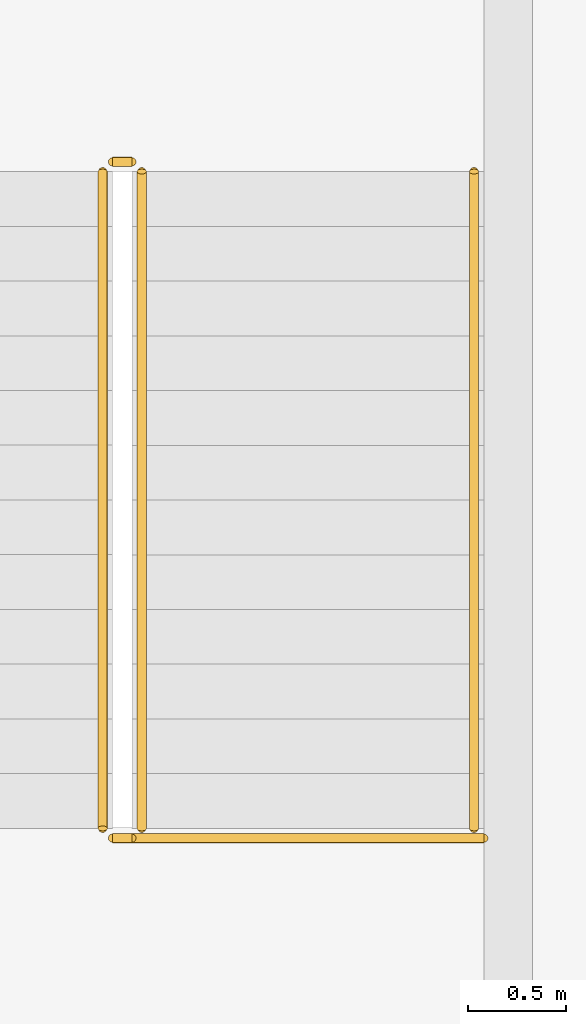
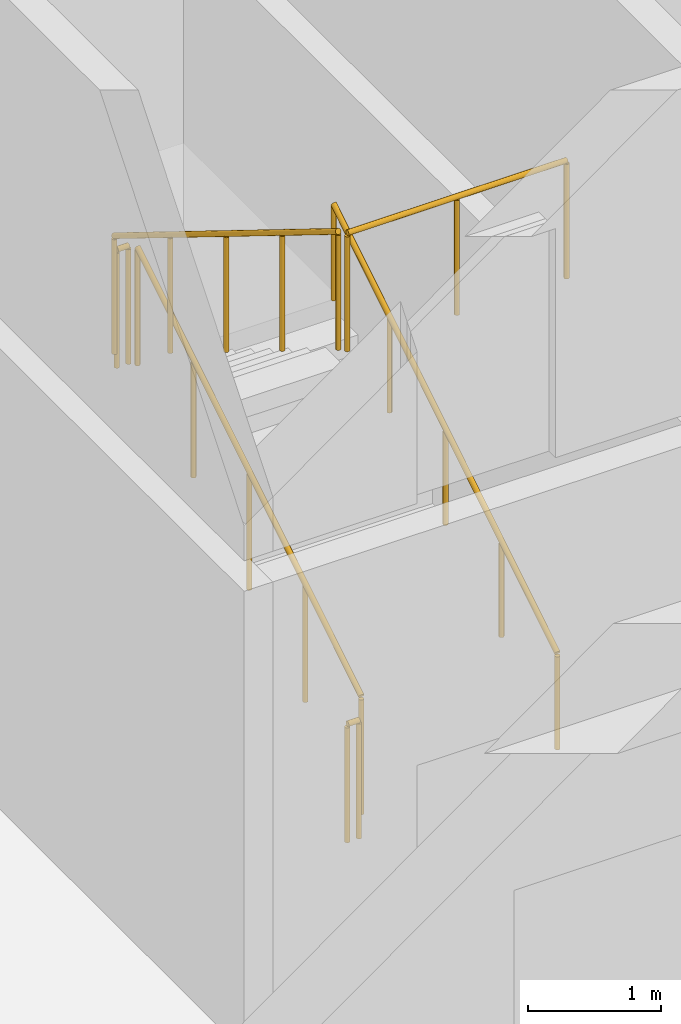
# One storey, part 31 of 35: 6 railings.
"""IFC4 building model written with IfcOpenShell, lengths in metres."""

from ifc_helpers import new_model, si_unit, direction, frame, origin, origin_2d, place, context, subcontext, project, spatial, circle, extrude, material, type_object, element, save


model = new_model("IFC4")

# Units and contexts
model_context = context("Model", 3, precision=1e-05, world=origin(), true_north=direction((0.0, 1.0)))
body_context = subcontext(model_context, "Body", "Model", "MODEL_VIEW")
ifc_project = project(units=[si_unit("LENGTHUNIT", "METRE"), si_unit("AREAUNIT", "SQUARE_METRE"), si_unit("VOLUMEUNIT", "CUBIC_METRE"), si_unit("PLANEANGLEUNIT", "RADIAN"), si_unit("MASSUNIT", "GRAM", prefix="KILO")], contexts=[model_context])

# Site, building, storey
site_placement = place(None, origin())
site = spatial("IfcSite", under=ifc_project, at=site_placement, CompositionType="ELEMENT")
building_placement = place(site_placement, origin())
building = spatial("IfcBuilding", under=site, at=building_placement, Name="Kilnfold Tower and Market Hall", CompositionType="ELEMENT")
storey_placement = place(building_placement, frame((0.0, 0.0, 22.5)))
storey = spatial("IfcBuildingStorey", under=building, at=storey_placement, Name="L04", CompositionType="ELEMENT", Elevation=22.5)

# Railings
ifc_material_1 = material(Name="Steel S355", Category="steel")
railing_type_1 = type_object("IfcRailingType", Name="HALL STAIR GUARD 1100", PredefinedType="GUARDRAIL", material=ifc_material_1)
railing_1_placement = place(storey_placement, frame((-48.550048828125, 46.699951171875, 0.173095703125)))
element("IfcRailing", 1, at=railing_1_placement, inside=storey, type_object=railing_type_1, Name="L04 MS3 stair guard 1", PredefinedType="GUARDRAIL", context=body_context, shape_type="SweptSolid", body=[
    extrude(circle(Radius=0.02392578125, at=origin_2d()), frame((0.0, 0.0, 1.076171875), z_axis=(0.0, 0.850623216509, 0.525775754039), x_axis=(-1.0, 0.0, 0.0)), (0.0, 0.0, 1.0), 3.9501953125),
    extrude(circle(Radius=0.02099609375, at=origin_2d()), origin(), (0.0, 0.0, 1.0), 1.052001953125),
    extrude(circle(Radius=0.02099609375, at=origin_2d()), frame((0.0, 0.840087890625, 0.519287109375)), (0.0, 0.0, 1.0), 1.052001953125),
    extrude(circle(Radius=0.02099609375, at=origin_2d()), frame((0.0, 1.68017578125, 1.03857421875)), (0.0, 0.0, 1.0), 1.052001953125),
    extrude(circle(Radius=0.02099609375, at=origin_2d()), frame((0.0, 2.52001953125, 1.5576171875)), (0.0, 0.0, 1.0), 1.052001953125),
    extrude(circle(Radius=0.02099609375, at=origin_2d()), frame((0.0, 3.360107421875, 2.076904296875)), (0.0, 0.0, 1.0), 1.052001953125),
])
railing_2_placement = place(storey_placement, frame((-48.60009765625, 50.110107421875, 2.25)))
element("IfcRailing", 2, at=railing_2_placement, inside=storey, type_object=railing_type_1, Name="L04 MS3 stair guard 2", PredefinedType="GUARDRAIL", context=body_context, shape_type="SweptSolid", body=[
    extrude(circle(Radius=0.02392578125, at=origin_2d()), frame((0.0, 0.0, 1.076171875), z_axis=(-1.0, 0.0, 0.0), x_axis=(0.0, -1.0, 0.0)), (0.0, 0.0, 1.0), 0.099853515625),
    extrude(circle(Radius=0.02099609375, at=origin_2d()), origin(), (0.0, 0.0, 1.0), 1.052001953125),
    extrude(circle(Radius=0.02099609375, at=origin_2d()), frame((-0.099853515625, 0.0, 0.0)), (0.0, 0.0, 1.0), 1.052001953125),
])
railing_3_placement = place(storey_placement, frame((-48.75, 50.06005859375, 2.423095703125)))
element("IfcRailing", 3, at=railing_3_placement, inside=storey, type_object=railing_type_1, Name="L04 MS3 stair guard 3", PredefinedType="GUARDRAIL", context=body_context, shape_type="SweptSolid", body=[
    extrude(circle(Radius=0.02392578125, at=origin_2d()), frame((0.0, 0.0, 1.076171875), z_axis=(0.0, -0.850623216509, 0.525775754039), x_axis=(1.0, 0.0, 0.0)), (0.0, 0.0, 1.0), 3.9501953125),
    extrude(circle(Radius=0.02099609375, at=origin_2d()), origin(), (0.0, 0.0, 1.0), 1.052001953125),
    extrude(circle(Radius=0.02099609375, at=origin_2d()), frame((0.0, -0.840087890625, 0.519287109375)), (0.0, 0.0, 1.0), 1.052001953125),
    extrude(circle(Radius=0.02099609375, at=origin_2d()), frame((0.0, -1.68017578125, 1.03857421875)), (0.0, 0.0, 1.0), 1.052001953125),
    extrude(circle(Radius=0.02099609375, at=origin_2d()), frame((0.0, -2.52001953125, 1.5576171875)), (0.0, 0.0, 1.0), 1.052001953125),
    extrude(circle(Radius=0.02099609375, at=origin_2d()), frame((0.0, -3.360107421875, 2.076904296875)), (0.0, 0.0, 1.0), 1.052001953125),
])
railing_4_placement = place(storey_placement, frame((-48.60009765625, 46.64990234375, 0.0)))
element("IfcRailing", 4, at=railing_4_placement, inside=storey, type_object=railing_type_1, Name="L04 MS3 stair guard 4", PredefinedType="GUARDRAIL", context=body_context, shape_type="SweptSolid", body=[
    extrude(circle(Radius=0.02392578125, at=origin_2d()), frame((0.0, 0.0, 1.076171875), z_axis=(-1.0, 0.0, 0.0), x_axis=(0.0, -1.0, 0.0)), (0.0, 0.0, 1.0), 0.099853515625),
    extrude(circle(Radius=0.02099609375, at=origin_2d()), origin(), (0.0, 0.0, 1.0), 1.052001953125),
    extrude(circle(Radius=0.02099609375, at=origin_2d()), frame((-0.099853515625, 0.0, 0.0)), (0.0, 0.0, 1.0), 1.052001953125),
])
railing_5_placement = place(storey_placement, frame((-46.800048828125, 46.64990234375, 4.5)))
element("IfcRailing", 5, at=railing_5_placement, inside=storey, type_object=railing_type_1, Name="L04 MS3 top well guard 1", PredefinedType="GUARDRAIL", context=body_context, shape_type="SweptSolid", body=[
    extrude(circle(Radius=0.02392578125, at=origin_2d()), frame((0.0, 0.0, 1.076171875), z_axis=(-1.0, 0.0, 0.0), x_axis=(0.0, -1.0, 0.0)), (0.0, 0.0, 1.0), 1.89990234375),
    extrude(circle(Radius=0.02099609375, at=origin_2d()), origin(), (0.0, 0.0, 1.0), 1.052001953125),
    extrude(circle(Radius=0.02099609375, at=origin_2d()), frame((-0.949951171875, 0.0, 0.0)), (0.0, 0.0, 1.0), 1.052001953125),
    extrude(circle(Radius=0.02099609375, at=origin_2d()), frame((-1.89990234375, 0.0, 0.0)), (0.0, 0.0, 1.0), 1.052001953125),
])
ifc_material_2 = material(Name="Steel S355", Category="steel")
railing_type_2 = type_object("IfcRailingType", Name="HALL STAIR HANDRAIL", PredefinedType="HANDRAIL", material=ifc_material_2)
railing_6_placement = place(storey_placement, frame((-46.85009765625, 46.699951171875, 0.173095703125)))
element("IfcRailing", 6, at=railing_6_placement, inside=storey, type_object=railing_type_2, Name="L04 MS3 stair handrail 1", PredefinedType="HANDRAIL", context=body_context, shape_type="SweptSolid", body=[
    extrude(circle(Radius=0.02392578125, at=origin_2d()), frame((0.0, 0.0, 0.8759765625), z_axis=(0.0, 0.850623216509, 0.525775754039), x_axis=(-1.0, 0.0, 0.0)), (0.0, 0.0, 1.0), 3.9501953125),
    extrude(circle(Radius=0.02099609375, at=origin_2d()), origin(), (0.0, 0.0, 1.0), 0.851806640625),
    extrude(circle(Radius=0.02099609375, at=origin_2d()), frame((0.0, 0.840087890625, 0.519287109375)), (0.0, 0.0, 1.0), 0.851806640625),
    extrude(circle(Radius=0.02099609375, at=origin_2d()), frame((0.0, 1.68017578125, 1.03857421875)), (0.0, 0.0, 1.0), 0.851806640625),
    extrude(circle(Radius=0.02099609375, at=origin_2d()), frame((0.0, 2.52001953125, 1.5576171875)), (0.0, 0.0, 1.0), 0.851806640625),
    extrude(circle(Radius=0.02099609375, at=origin_2d()), frame((0.0, 3.360107421875, 2.076904296875)), (0.0, 0.0, 1.0), 0.851806640625),
])

save(model, "model.ifc")
